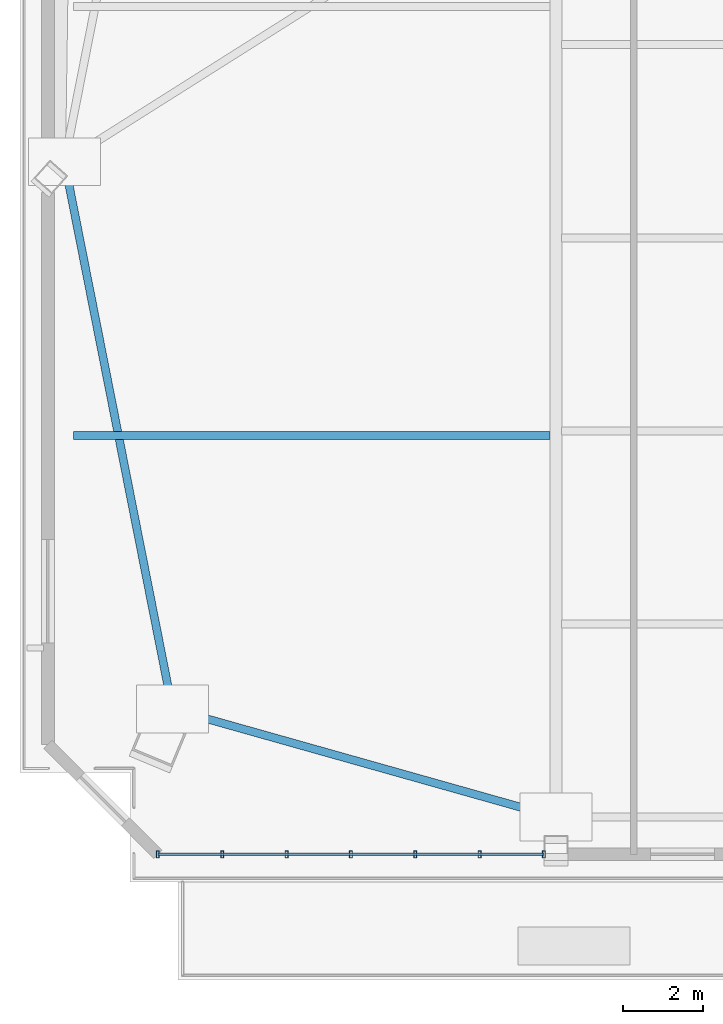
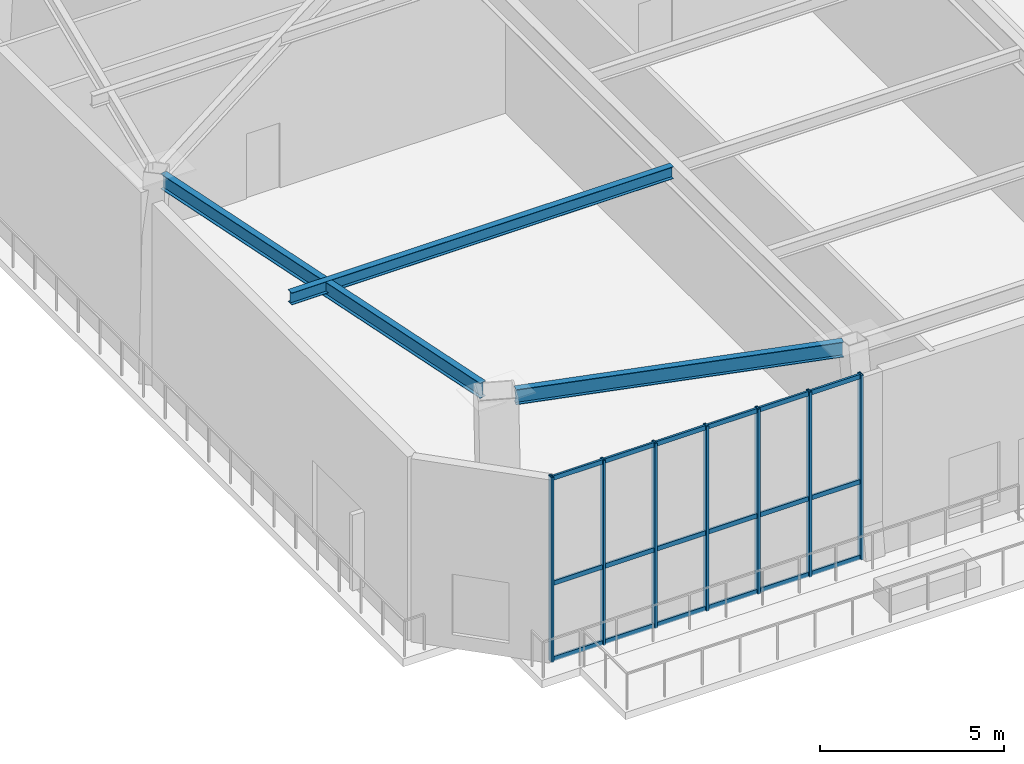
# One storey, part 2 of 16: 10 members, 3 beams, 1 element without a shape of its own.
"""IFC4 building model written with IfcOpenShell, lengths in metres."""

from ifc_helpers import new_model, si_unit, direction, frame, origin, origin_2d, place, context, subcontext, project, spatial, hollow_rectangle, i_section, extrude, source, transform, mapped, material, layer, layer_set, material_profile, profile_set, type_object, element, aggregate, save


model = new_model("IFC4")

# Units and contexts
model_context = context("Model", 3, precision=1e-05, world=origin(), true_north=direction((0.0, 1.0)))
body_context = subcontext(model_context, "Body", "Model", "MODEL_VIEW")
ifc_project = project(units=[si_unit("LENGTHUNIT", "METRE"), si_unit("AREAUNIT", "SQUARE_METRE"), si_unit("VOLUMEUNIT", "CUBIC_METRE"), si_unit("PLANEANGLEUNIT", "RADIAN"), si_unit("MASSUNIT", "GRAM", prefix="KILO")], contexts=[model_context])

# Site, building, storey
site_placement = place(None, origin())
site = spatial("IfcSite", under=ifc_project, at=site_placement, CompositionType="ELEMENT")
building_placement = place(site_placement, origin())
building = spatial("IfcBuilding", under=site, at=building_placement, Name="Giltprow Tower", CompositionType="ELEMENT")
storey_placement = place(building_placement, frame((0.0, 0.0, 220.199951171875)))
storey = spatial("IfcBuildingStorey", under=building, at=storey_placement, Name="L56", CompositionType="ELEMENT", Elevation=220.199951171875)

# Beams
ifc_material_1 = material(Name="Structural steel Q355B", Category="steel")
ifc_material_profile_1 = material_profile(ifc_material_1, i_section(OverallWidth=0.199951171875, OverallDepth=0.5, WebThickness=0.010009765625, FlangeThickness=0.01611328125, at=origin_2d()), Name="HN 500x200x10x16")
ifc_profile_set_1 = profile_set([ifc_material_profile_1], Name="Structural steel Q355B")
beam_type_1 = type_object("IfcBeamType", Name="BM-SPAN-HN500", PredefinedType="SPANDREL", material=ifc_profile_set_1)
shared_shape_1 = source(origin(), body_context, "Body", "SweptSolid", [
    extrude(i_section(OverallWidth=0.199951171875, OverallDepth=0.5, WebThickness=0.010009765625, FlangeThickness=0.01611328125, at=origin_2d()), origin(), (0.0, 0.0, 1.0), 9.164306640625),
])
beam_1_placement = place(storey_placement, frame((10.7548828125, 15.81201171875, 6.3349609375), z_axis=(0.962531726168, -0.27116909138, 0.0), x_axis=(0.27116909138, 0.962531726168, 0.0)))
element("IfcBeam", 1, at=beam_1_placement, inside=storey, type_object=beam_type_1, Name="L56 Perimeter Spandrel Beam MC_SW-S1", PredefinedType="SPANDREL", context=body_context, shape_type="MappedRepresentation", body=[
    mapped(shared_shape_1, transform((0.0, 0.0, 0.0), x_axis=(1.0, 0.0, 0.0), y_axis=(0.0, 1.0, 0.0), z_axis=(0.0, 0.0, 1.0), scale=1.0)),
])
shared_shape_2 = source(origin(), body_context, "Body", "SweptSolid", [
    extrude(i_section(OverallWidth=0.199951171875, OverallDepth=0.5, WebThickness=0.010009765625, FlangeThickness=0.01611328125, at=origin_2d()), origin(), (0.0, 0.0, 1.0), 13.162109375),
])
beam_2_placement = place(storey_placement, frame((7.587890625, 29.39501953125, 6.3349609375), z_axis=(0.193593566524, -0.98108181667, 0.0), x_axis=(0.98108181667, 0.193593566524, 0.0)))
element("IfcBeam", 2, at=beam_2_placement, inside=storey, type_object=beam_type_1, Name="L56 Perimeter Spandrel Beam W_MID-MC_SW", PredefinedType="SPANDREL", context=body_context, shape_type="MappedRepresentation", body=[
    mapped(shared_shape_2, transform((0.0, 0.0, 0.0), x_axis=(1.0, 0.0, 0.0), y_axis=(0.0, 1.0, 0.0), z_axis=(0.0, 0.0, 1.0), scale=1.0)),
])
ifc_material_profile_2 = material_profile(ifc_material_1, i_section(OverallWidth=0.199951171875, OverallDepth=0.39990234375, WebThickness=0.008056640625, FlangeThickness=0.012939453125, at=origin_2d()), Name="HN 400x200x8x13")
ifc_profile_set_2 = profile_set([ifc_material_profile_2], Name="Structural steel Q355B")
beam_type_2 = type_object("IfcBeamType", Name="BM-JOIST-HN400", PredefinedType="JOIST", material=ifc_profile_set_2)
shared_shape_3 = source(origin(), body_context, "Body", "SweptSolid", [
    extrude(i_section(OverallWidth=0.199951171875, OverallDepth=0.39990234375, WebThickness=0.008056640625, FlangeThickness=0.012939453125, at=origin_2d()), origin(), (0.0, 0.0, 1.0), 11.9521484375),
])
beam_3_placement = place(storey_placement, frame((7.7529296875, 22.81591796875, 6.385009765625), z_axis=(1.0, 0.0, 0.0), x_axis=(0.0, 1.0, 0.0)))
element("IfcBeam", 3, at=beam_3_placement, inside=storey, type_object=beam_type_2, Name="L56 West Wing Floor Joist 1", PredefinedType="JOIST", context=body_context, shape_type="MappedRepresentation", body=[
    mapped(shared_shape_3, transform((0.0, 0.0, 0.0), x_axis=(1.0, 0.0, 0.0), y_axis=(0.0, 1.0, 0.0), z_axis=(0.0, 0.0, 1.0), scale=1.0)),
])

# Curtain wall, members
ifc_material_2 = material(Name="Anodized bronze", Category="metal")
ifc_layer = layer(ifc_material_2, 0.179931640625, Name="Anodized bronze")
ifc_layer_set = layer_set([ifc_layer], Name="Anodized bronze")
curtain_wall_type = type_object("IfcCurtainWallType", Name="CW-SKYGARDEN", PredefinedType="NOTDEFINED", material=ifc_layer_set)
curtain_wall_placement = place(storey_placement, origin())
curtain_wall = element("IfcCurtainWall", 4, at=curtain_wall_placement, inside=storey, type_object=curtain_wall_type, Name="L56 South Recessed Curtain Wall 1", PredefinedType="NOTDEFINED")
ifc_material_profile_3 = material_profile(ifc_material_2, hollow_rectangle(XDim=0.06494140625, YDim=0.14990234375, WallThickness=0.006103515625, at=origin_2d()), Name="RHS 150x65x6")
ifc_profile_set_3 = profile_set([ifc_material_profile_3], Name="Anodized bronze")
member_type_1 = type_object("IfcMemberType", Name="CW-TRANSOM-150x65", PredefinedType="USERDEFINED", material=ifc_profile_set_3)
shared_shape_4 = source(origin(), body_context, "Body", "SweptSolid", [
    extrude(hollow_rectangle(XDim=0.06494140625, YDim=0.14990234375, WallThickness=0.006103515625, at=origin_2d()), origin(), (0.0, 0.0, 1.0), 9.677978515625),
])
member_1_placement = place(storey_placement, frame((9.8720703125, 12.318115234375, 0.0400390625), z_axis=(1.0, 0.0, 0.0), x_axis=(0.0, 1.0, 0.0)))
member_1 = element("IfcMember", 5, at=member_1_placement, type_object=member_type_1, Name="L56 South Recessed Curtain Wall 1 Transom 1", ObjectType="TRANSOM", PredefinedType="USERDEFINED", context=body_context, shape_type="MappedRepresentation", body=[
    mapped(shared_shape_4, transform((0.0, 0.0, 0.0), x_axis=(1.0, 0.0, 0.0), y_axis=(0.0, 1.0, 0.0), z_axis=(0.0, 0.0, 1.0), scale=1.0)),
])
member_2_placement = place(storey_placement, frame((9.8720703125, 12.318115234375, 2.547119140625), z_axis=(1.0, 0.0, 0.0), x_axis=(0.0, 1.0, 0.0)))
member_2 = element("IfcMember", 6, at=member_2_placement, type_object=member_type_1, Name="L56 South Recessed Curtain Wall 1 Transom 2", ObjectType="TRANSOM", PredefinedType="USERDEFINED", context=body_context, shape_type="MappedRepresentation", body=[
    mapped(shared_shape_4, transform((0.0, 0.0, 0.0), x_axis=(1.0, 0.0, 0.0), y_axis=(0.0, 1.0, 0.0), z_axis=(0.0, 0.0, 1.0), scale=1.0)),
])
member_3_placement = place(storey_placement, frame((9.8720703125, 12.318115234375, 6.025146484375), z_axis=(1.0, 0.0, 0.0), x_axis=(0.0, 1.0, 0.0)))
member_3 = element("IfcMember", 7, at=member_3_placement, type_object=member_type_1, Name="L56 South Recessed Curtain Wall 1 Transom 3", ObjectType="TRANSOM", PredefinedType="USERDEFINED", context=body_context, shape_type="MappedRepresentation", body=[
    mapped(shared_shape_4, transform((0.0, 0.0, 0.0), x_axis=(1.0, 0.0, 0.0), y_axis=(0.0, 1.0, 0.0), z_axis=(0.0, 0.0, 1.0), scale=1.0)),
])
ifc_material_profile_4 = material_profile(ifc_material_2, hollow_rectangle(XDim=0.074951171875, YDim=0.179931640625, WallThickness=0.008056640625, at=origin_2d()), Name="RHS 180x75x8")
ifc_profile_set_4 = profile_set([ifc_material_profile_4], Name="Anodized bronze")
member_type_2 = type_object("IfcMemberType", Name="CW-MULLION-180x75", PredefinedType="MULLION", material=ifc_profile_set_4)
shared_shape_5 = source(origin(), body_context, "Body", "SweptSolid", [
    extrude(hollow_rectangle(XDim=0.074951171875, YDim=0.179931640625, WallThickness=0.008056640625, at=origin_2d()), origin(), (0.0, 0.0, 1.0), 6.1201171875),
])
member_4_placement = place(storey_placement, frame((9.8720703125, 12.318115234375, -0.02001953125), z_axis=(0.0, 0.0, 1.0), x_axis=(1.0, 0.0, 0.0)))
member_4 = element("IfcMember", 8, at=member_4_placement, type_object=member_type_2, Name="L56 South Recessed Curtain Wall 1 Mullion 1", PredefinedType="MULLION", context=body_context, shape_type="MappedRepresentation", body=[
    mapped(shared_shape_5, transform((0.0, 0.0, 0.0), x_axis=(1.0, 0.0, 0.0), y_axis=(0.0, 1.0, 0.0), z_axis=(0.0, 0.0, 1.0), scale=1.0)),
])
member_5_placement = place(storey_placement, frame((11.485107421875, 12.318115234375, -0.02001953125), z_axis=(0.0, 0.0, 1.0), x_axis=(1.0, 0.0, 0.0)))
member_5 = element("IfcMember", 9, at=member_5_placement, type_object=member_type_2, Name="L56 South Recessed Curtain Wall 1 Mullion 2", PredefinedType="MULLION", context=body_context, shape_type="MappedRepresentation", body=[
    mapped(shared_shape_5, transform((0.0, 0.0, 0.0), x_axis=(1.0, 0.0, 0.0), y_axis=(0.0, 1.0, 0.0), z_axis=(0.0, 0.0, 1.0), scale=1.0)),
])
member_6_placement = place(storey_placement, frame((13.097900390625, 12.318115234375, -0.02001953125), z_axis=(0.0, 0.0, 1.0), x_axis=(1.0, 0.0, 0.0)))
member_6 = element("IfcMember", 10, at=member_6_placement, type_object=member_type_2, Name="L56 South Recessed Curtain Wall 1 Mullion 3", PredefinedType="MULLION", context=body_context, shape_type="MappedRepresentation", body=[
    mapped(shared_shape_5, transform((0.0, 0.0, 0.0), x_axis=(1.0, 0.0, 0.0), y_axis=(0.0, 1.0, 0.0), z_axis=(0.0, 0.0, 1.0), scale=1.0)),
])
member_7_placement = place(storey_placement, frame((14.7109375, 12.318115234375, -0.02001953125), z_axis=(0.0, 0.0, 1.0), x_axis=(1.0, 0.0, 0.0)))
member_7 = element("IfcMember", 11, at=member_7_placement, type_object=member_type_2, Name="L56 South Recessed Curtain Wall 1 Mullion 4", PredefinedType="MULLION", context=body_context, shape_type="MappedRepresentation", body=[
    mapped(shared_shape_5, transform((0.0, 0.0, 0.0), x_axis=(1.0, 0.0, 0.0), y_axis=(0.0, 1.0, 0.0), z_axis=(0.0, 0.0, 1.0), scale=1.0)),
])
member_8_placement = place(storey_placement, frame((16.323974609375, 12.318115234375, -0.02001953125), z_axis=(0.0, 0.0, 1.0), x_axis=(1.0, 0.0, 0.0)))
member_8 = element("IfcMember", 12, at=member_8_placement, type_object=member_type_2, Name="L56 South Recessed Curtain Wall 1 Mullion 5", PredefinedType="MULLION", context=body_context, shape_type="MappedRepresentation", body=[
    mapped(shared_shape_5, transform((0.0, 0.0, 0.0), x_axis=(1.0, 0.0, 0.0), y_axis=(0.0, 1.0, 0.0), z_axis=(0.0, 0.0, 1.0), scale=1.0)),
])
member_9_placement = place(storey_placement, frame((17.93701171875, 12.318115234375, -0.02001953125), z_axis=(0.0, 0.0, 1.0), x_axis=(1.0, 0.0, 0.0)))
member_9 = element("IfcMember", 13, at=member_9_placement, type_object=member_type_2, Name="L56 South Recessed Curtain Wall 1 Mullion 6", PredefinedType="MULLION", context=body_context, shape_type="MappedRepresentation", body=[
    mapped(shared_shape_5, transform((0.0, 0.0, 0.0), x_axis=(1.0, 0.0, 0.0), y_axis=(0.0, 1.0, 0.0), z_axis=(0.0, 0.0, 1.0), scale=1.0)),
])
member_10_placement = place(storey_placement, frame((19.550048828125, 12.318115234375, -0.02001953125), z_axis=(0.0, 0.0, 1.0), x_axis=(1.0, 0.0, 0.0)))
member_10 = element("IfcMember", 14, at=member_10_placement, type_object=member_type_2, Name="L56 South Recessed Curtain Wall 1 Mullion 7", PredefinedType="MULLION", context=body_context, shape_type="MappedRepresentation", body=[
    mapped(shared_shape_5, transform((0.0, 0.0, 0.0), x_axis=(1.0, 0.0, 0.0), y_axis=(0.0, 1.0, 0.0), z_axis=(0.0, 0.0, 1.0), scale=1.0)),
])
aggregate(curtain_wall, [member_4, member_5, member_6, member_7, member_8, member_9, member_10, member_1, member_2, member_3])

save(model, "model.ifc")
